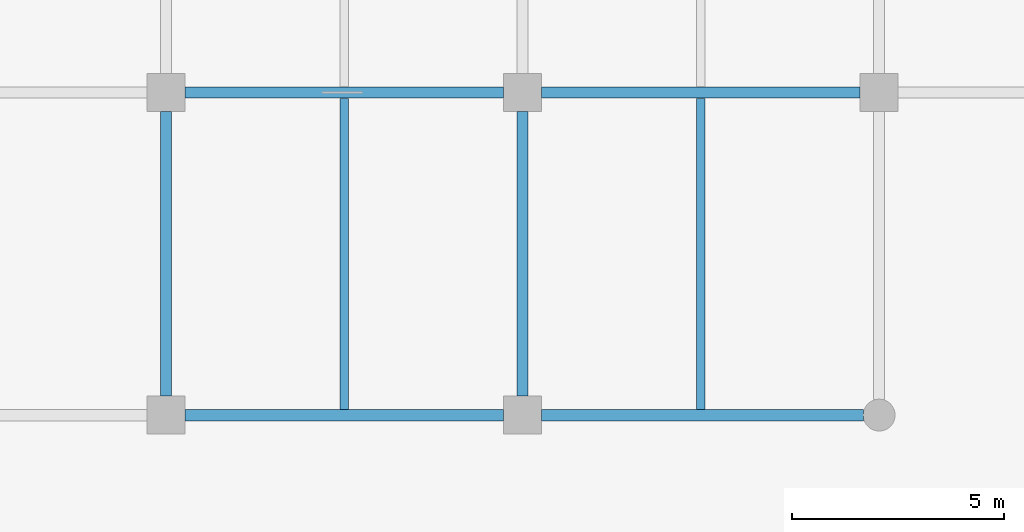
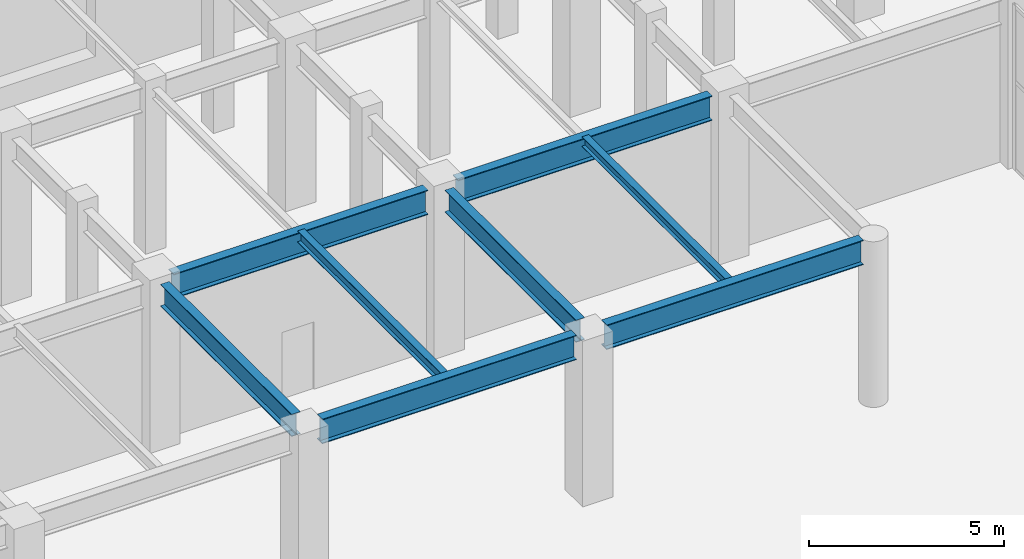
# One storey, part 34 of 139: 8 beams.
"""IFC4 building model written with IfcOpenShell, lengths in metres."""

from ifc_helpers import new_model, si_unit, direction, frame, origin, origin_2d, place, context, subcontext, project, spatial, i_section, extrude, material, material_profile, profile_set, type_object, element, save


model = new_model("IFC4")

# Units and contexts
model_context = context("Model", 3, precision=1e-05, world=origin(), true_north=direction((0.0, 1.0)))
body_context = subcontext(model_context, "Body", "Model", "MODEL_VIEW")
ifc_project = project(units=[si_unit("LENGTHUNIT", "METRE"), si_unit("AREAUNIT", "SQUARE_METRE"), si_unit("VOLUMEUNIT", "CUBIC_METRE"), si_unit("PLANEANGLEUNIT", "RADIAN"), si_unit("MASSUNIT", "GRAM", prefix="KILO")], contexts=[model_context])

# Site, building, storey
site_placement = place(None, origin())
site = spatial("IfcSite", under=ifc_project, at=site_placement, CompositionType="ELEMENT")
building_placement = place(site_placement, origin())
building = spatial("IfcBuilding", under=site, at=building_placement, Name="Xicomal Pleat Aquarium", CompositionType="ELEMENT")
storey_placement = place(building_placement, origin())
storey = spatial("IfcBuildingStorey", under=building, at=storey_placement, Name="L01", CompositionType="ELEMENT", Elevation=0.0)

# Beams
ifc_material_1 = material(Name="Structural steel A992 Gr 50", Category="steel")
ifc_material_profile_1 = material_profile(ifc_material_1, i_section(OverallWidth=0.202880859375, OverallDepth=0.302978515625, WebThickness=0.007568359375, FlangeThickness=0.01318359375, at=origin_2d()), Name="IR 310x60")
ifc_profile_set_1 = profile_set([ifc_material_profile_1], Name="Structural steel A992 Gr 50")
beam_type_1 = type_object("IfcBeamType", Name="BM-STL-IR310", PredefinedType="JOIST", material=ifc_profile_set_1)
beam_1_placement = place(storey_placement, frame((81.60009765625, 22.93701171875, 5.0234375), z_axis=(0.0, 1.0, 0.0), x_axis=(-1.0, 0.0, 0.0)))
element("IfcBeam", 1, at=beam_1_placement, inside=storey, type_object=beam_type_1, Name="L01 framing beam FBJ-L01-10-D-1", PredefinedType="JOIST", context=body_context, shape_type="SweptSolid", body=[
    extrude(i_section(OverallWidth=0.202880859375, OverallDepth=0.302978515625, WebThickness=0.007568359375, FlangeThickness=0.01318359375, at=origin_2d()), origin(), (0.0, 0.0, 1.0), 7.325927734375),
])
ifc_material_2 = material(Name="Structural steel A992 Gr 50", Category="steel")
ifc_material_profile_2 = material_profile(ifc_material_2, i_section(OverallWidth=0.205078125, OverallDepth=0.35400390625, WebThickness=0.009521484375, FlangeThickness=0.016845703125, at=origin_2d()), Name="IR 360x79")
ifc_profile_set_2 = profile_set([ifc_material_profile_2], Name="Structural steel A992 Gr 50")
beam_type_2 = type_object("IfcBeamType", Name="BM-STL-IR360", PredefinedType="JOIST", material=ifc_profile_set_2)
beam_2_placement = place(storey_placement, frame((73.199951171875, 22.93701171875, 4.998046875), z_axis=(0.0, 1.0, 0.0), x_axis=(-1.0, 0.0, 0.0)))
element("IfcBeam", 2, at=beam_2_placement, inside=storey, type_object=beam_type_2, Name="L01 framing beam FBJ-L01-09-D-1", PredefinedType="JOIST", context=body_context, shape_type="SweptSolid", body=[
    extrude(i_section(OverallWidth=0.205078125, OverallDepth=0.35400390625, WebThickness=0.009521484375, FlangeThickness=0.016845703125, at=origin_2d()), origin(), (0.0, 0.0, 1.0), 7.325927734375),
])
ifc_material_3 = material(Name="Structural steel A992 Gr 50", Category="steel")
ifc_material_profile_3 = material_profile(ifc_material_3, i_section(OverallWidth=0.256103515625, OverallDepth=0.693115234375, WebThickness=0.014404296875, FlangeThickness=0.023681640625, at=origin_2d()), Name="IR 690x170")
ifc_profile_set_3 = profile_set([ifc_material_profile_3], Name="Structural steel A992 Gr 50")
beam_type_3 = type_object("IfcBeamType", Name="BM-STL-IR690", PredefinedType="BEAM", material=ifc_profile_set_3)
for number, where, z_axis, x_axis, name in (
    (3, (69.0, 23.2451171875, 4.82861328125), (0.0, 1.0, 0.0), (-1.0, 0.0, 0.0), "L01 framing beam FGY-L01-09-D-E"),
    (4, (77.39990234375, 23.2451171875, 4.82861328125), (0.0, 1.0, 0.0), (-1.0, 0.0, 0.0), "L01 framing beam FGY-L01-10-D-E"),
):
    element("IfcBeam", number, at=place(storey_placement, frame(where, z_axis=z_axis, x_axis=x_axis)), inside=storey, type_object=beam_type_3, Name=name, PredefinedType="BEAM", context=body_context, shape_type="SweptSolid", body=[
        extrude(i_section(OverallWidth=0.256103515625, OverallDepth=0.693115234375, WebThickness=0.014404296875, FlangeThickness=0.023681640625, at=origin_2d()), origin(), (0.0, 0.0, 1.0), 6.7099609375),
    ])
ifc_material_4 = material(Name="Structural steel A992 Gr 50", Category="steel")
ifc_material_profile_4 = material_profile(ifc_material_4, i_section(OverallWidth=0.26806640625, OverallDepth=0.77001953125, WebThickness=0.015625, FlangeThickness=0.025390625, at=origin_2d()), Name="IR 760x196")
ifc_profile_set_4 = profile_set([ifc_material_profile_4], Name="Structural steel A992 Gr 50")
beam_type_4 = type_object("IfcBeamType", Name="BM-STL-IR760", PredefinedType="BEAM", material=ifc_profile_set_4)
beam_3_placement = place(storey_placement, frame((69.445068359375, 22.800048828125, 4.7900390625), z_axis=(1.0, 0.0, 0.0), x_axis=(0.0, 1.0, 0.0)))
element("IfcBeam", 5, at=beam_3_placement, inside=storey, type_object=beam_type_4, Name="L01 framing beam FGX-L01-09-10-D", PredefinedType="BEAM", context=body_context, shape_type="SweptSolid", body=[
    extrude(i_section(OverallWidth=0.26806640625, OverallDepth=0.77001953125, WebThickness=0.015625, FlangeThickness=0.025390625, at=origin_2d()), origin(), (0.0, 0.0, 1.0), 7.510009765625),
])
beam_4_placement = place(storey_placement, frame((77.844970703125, 22.800048828125, 4.7900390625), z_axis=(1.0, 0.0, 0.0), x_axis=(0.0, 1.0, 0.0)))
element("IfcBeam", 6, at=beam_4_placement, inside=storey, type_object=beam_type_4, Name="L01 framing beam FGX-L01-10-11-D", PredefinedType="BEAM", context=body_context, shape_type="SweptSolid", body=[
    extrude(i_section(OverallWidth=0.26806640625, OverallDepth=0.77001953125, WebThickness=0.015625, FlangeThickness=0.025390625, at=origin_2d()), origin(), (0.0, 0.0, 1.0), 7.5849609375),
])
for number, where, z_axis, x_axis, name in (
    (7, (69.445068359375, 30.39990234375, 4.715087890625), (1.0, 0.0, 0.0), (0.0, 1.0, 0.0), "L01 framing beam FGX-L01-09-10-E"),
    (8, (77.844970703125, 30.39990234375, 4.715087890625), (1.0, 0.0, 0.0), (0.0, 1.0, 0.0), "L01 framing beam FGX-L01-10-11-E"),
):
    element("IfcBeam", number, at=place(storey_placement, frame(where, z_axis=z_axis, x_axis=x_axis)), inside=storey, type_object=beam_type_4, Name=name, PredefinedType="BEAM", context=body_context, shape_type="SweptSolid", body=[
        extrude(i_section(OverallWidth=0.26806640625, OverallDepth=0.77001953125, WebThickness=0.015625, FlangeThickness=0.025390625, at=origin_2d()), origin(), (0.0, 0.0, 1.0), 7.510009765625),
    ])

save(model, "model.ifc")
